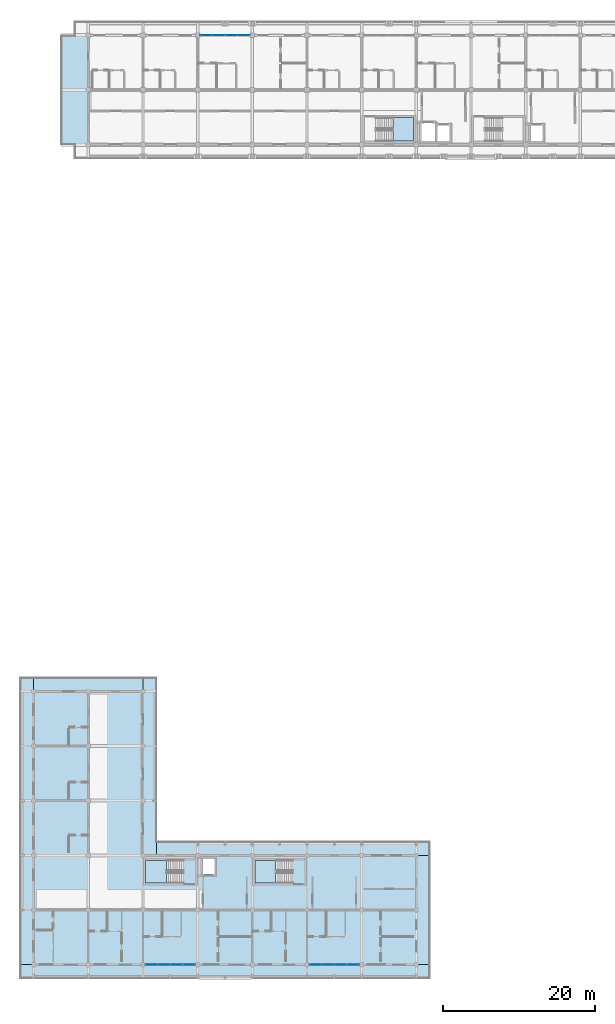
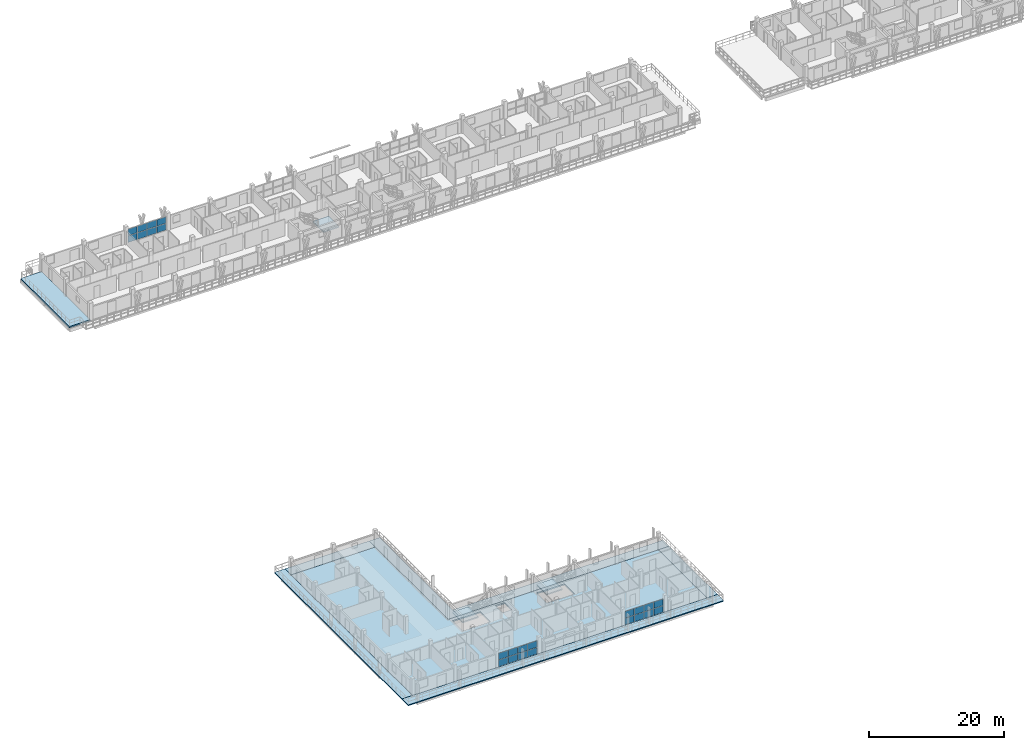
# One storey, part 29 of 73: 24 plates, 11 slabs, 6 elements without a shape of their own.
"""IFC4 building model written with IfcOpenShell, lengths in metres."""

from ifc_helpers import new_model, si_unit, direction, frame, origin, origin_2d, place, context, subcontext, project, spatial, polyline, rectangle, outline, extrude, material, layer, layer_set, type_object, element, aggregate, save


model = new_model("IFC4")

# Units and contexts
model_context = context("Model", 3, precision=1e-05, world=origin(), true_north=direction((0.0, 1.0)))
body_context = subcontext(model_context, "Body", "Model", "MODEL_VIEW")
ifc_project = project(units=[si_unit("LENGTHUNIT", "METRE"), si_unit("AREAUNIT", "SQUARE_METRE"), si_unit("VOLUMEUNIT", "CUBIC_METRE"), si_unit("PLANEANGLEUNIT", "RADIAN"), si_unit("MASSUNIT", "GRAM", prefix="KILO")], contexts=[model_context])

# Site, building, storey
site_placement = place(None, origin())
site = spatial("IfcSite", under=ifc_project, at=site_placement, CompositionType="ELEMENT")
building_placement = place(site_placement, origin())
building = spatial("IfcBuilding", under=site, at=building_placement, Name="Suanplinth Sawtooth Commons", CompositionType="ELEMENT")
storey_placement = place(building_placement, frame((0.0, 0.0, 21.89990234375)))
storey = spatial("IfcBuildingStorey", under=building, at=storey_placement, Name="L06", CompositionType="ELEMENT", Elevation=21.89990234375)

# Curtain wall, plates
ifc_material_1 = material(Name="Anodized aluminium and low-E glazing", Category="aluminium")
curtain_wall_type = type_object("IfcCurtainWallType", Name="CW-06", PredefinedType="USERDEFINED", material=ifc_material_1)
curtain_wall_1_placement = place(storey_placement, origin())
curtain_wall_1 = element("IfcCurtainWall", 1, at=curtain_wall_1_placement, inside=storey, type_object=curtain_wall_type, Name="Curtain Wall CW-L06-A-LOUNGE-2", ObjectType="CURTAIN WALL", PredefinedType="USERDEFINED")
ifc_material_2 = material(Name="Tempered low-E double glazing", Category="glass")
ifc_layer_1 = layer(ifc_material_2, 0.028076171875, Name="Vision low-E insulated glazing unit 28mm")
ifc_layer_set_1 = layer_set([ifc_layer_1], Name="Tempered low-E double glazing")
plate_type = type_object("IfcPlateType", Name="PL-05", PredefinedType="CURTAIN_PANEL", material=ifc_layer_set_1)
plate_1_placement = place(storey_placement, frame((22.7412109375, 122.39990234375, 0.065185546875), z_axis=(0.0, 0.0, 1.0), x_axis=(1.0, 0.0, 0.0)))
plate_1 = element("IfcPlate", 2, at=plate_1_placement, type_object=plate_type, Name="CW-06 panel 1.1", PredefinedType="CURTAIN_PANEL", context=body_context, shape_type="SweptSolid", body=[
    extrude(rectangle(XDim=1.552490234375, YDim=0.028076171875, at=origin_2d()), origin(), (0.0, 0.0, 1.0), 1.16748046875),
])
plate_2_placement = place(storey_placement, frame((22.7412109375, 122.39990234375, 1.297607421875), z_axis=(0.0, 0.0, 1.0), x_axis=(1.0, 0.0, 0.0)))
plate_2 = element("IfcPlate", 3, at=plate_2_placement, type_object=plate_type, Name="CW-06 panel 1.2", PredefinedType="CURTAIN_PANEL", context=body_context, shape_type="SweptSolid", body=[
    extrude(rectangle(XDim=1.552490234375, YDim=0.028076171875, at=origin_2d()), origin(), (0.0, 0.0, 1.0), 1.16748046875),
])
plate_3_placement = place(storey_placement, frame((24.375, 122.39990234375, 0.065185546875), z_axis=(0.0, 0.0, 1.0), x_axis=(1.0, 0.0, 0.0)))
plate_3 = element("IfcPlate", 4, at=plate_3_placement, type_object=plate_type, Name="CW-06 panel 2.1", PredefinedType="CURTAIN_PANEL", context=body_context, shape_type="SweptSolid", body=[
    extrude(rectangle(XDim=1.5849609375, YDim=0.028076171875, at=origin_2d()), origin(), (0.0, 0.0, 1.0), 1.16748046875),
])
plate_4_placement = place(storey_placement, frame((24.375, 122.39990234375, 1.297607421875), z_axis=(0.0, 0.0, 1.0), x_axis=(1.0, 0.0, 0.0)))
plate_4 = element("IfcPlate", 5, at=plate_4_placement, type_object=plate_type, Name="CW-06 panel 2.2", PredefinedType="CURTAIN_PANEL", context=body_context, shape_type="SweptSolid", body=[
    extrude(rectangle(XDim=1.5849609375, YDim=0.028076171875, at=origin_2d()), origin(), (0.0, 0.0, 1.0), 1.16748046875),
])
plate_5_placement = place(storey_placement, frame((26.02490234375, 122.39990234375, 0.065185546875), z_axis=(0.0, 0.0, 1.0), x_axis=(1.0, 0.0, 0.0)))
plate_5 = element("IfcPlate", 6, at=plate_5_placement, type_object=plate_type, Name="CW-06 panel 3.1", PredefinedType="CURTAIN_PANEL", context=body_context, shape_type="SweptSolid", body=[
    extrude(rectangle(XDim=1.5849609375, YDim=0.028076171875, at=origin_2d()), origin(), (0.0, 0.0, 1.0), 1.16748046875),
])
plate_6_placement = place(storey_placement, frame((26.02490234375, 122.39990234375, 1.297607421875), z_axis=(0.0, 0.0, 1.0), x_axis=(1.0, 0.0, 0.0)))
plate_6 = element("IfcPlate", 7, at=plate_6_placement, type_object=plate_type, Name="CW-06 panel 3.2", PredefinedType="CURTAIN_PANEL", context=body_context, shape_type="SweptSolid", body=[
    extrude(rectangle(XDim=1.5849609375, YDim=0.028076171875, at=origin_2d()), origin(), (0.0, 0.0, 1.0), 1.16748046875),
])
plate_7_placement = place(storey_placement, frame((27.65869140625, 122.39990234375, 0.065185546875), z_axis=(0.0, 0.0, 1.0), x_axis=(1.0, 0.0, 0.0)))
plate_7 = element("IfcPlate", 8, at=plate_7_placement, type_object=plate_type, Name="CW-06 panel 4.1", PredefinedType="CURTAIN_PANEL", context=body_context, shape_type="SweptSolid", body=[
    extrude(rectangle(XDim=1.552490234375, YDim=0.028076171875, at=origin_2d()), origin(), (0.0, 0.0, 1.0), 1.16748046875),
])
plate_8_placement = place(storey_placement, frame((27.65869140625, 122.39990234375, 1.297607421875), z_axis=(0.0, 0.0, 1.0), x_axis=(1.0, 0.0, 0.0)))
plate_8 = element("IfcPlate", 9, at=plate_8_placement, type_object=plate_type, Name="CW-06 panel 4.2", PredefinedType="CURTAIN_PANEL", context=body_context, shape_type="SweptSolid", body=[
    extrude(rectangle(XDim=1.552490234375, YDim=0.028076171875, at=origin_2d()), origin(), (0.0, 0.0, 1.0), 1.16748046875),
])
aggregate(curtain_wall_1, [plate_1, plate_2, plate_3, plate_4, plate_5, plate_6, plate_7, plate_8])

curtain_wall_2_placement = place(storey_placement, origin())
curtain_wall_2 = element("IfcCurtainWall", 10, at=curtain_wall_2_placement, inside=storey, type_object=curtain_wall_type, Name="Curtain Wall CW-L06-D-LOUNGE-2", ObjectType="CURTAIN WALL", PredefinedType="USERDEFINED")
plate_9_placement = place(storey_placement, frame((15.5224609375, 0.0, 0.065185546875), z_axis=(0.0, 0.0, 1.0), x_axis=(1.0, 0.0, 0.0)))
plate_9 = element("IfcPlate", 11, at=plate_9_placement, type_object=plate_type, Name="CW-06 panel 1.1", PredefinedType="CURTAIN_PANEL", context=body_context, shape_type="SweptSolid", body=[
    extrude(rectangle(XDim=1.56494140625, YDim=0.028076171875, at=origin_2d()), origin(), (0.0, 0.0, 1.0), 1.16748046875),
])
plate_10_placement = place(storey_placement, frame((15.5224609375, 0.0, 1.297607421875), z_axis=(0.0, 0.0, 1.0), x_axis=(1.0, 0.0, 0.0)))
plate_10 = element("IfcPlate", 12, at=plate_10_placement, type_object=plate_type, Name="CW-06 panel 1.2", PredefinedType="CURTAIN_PANEL", context=body_context, shape_type="SweptSolid", body=[
    extrude(rectangle(XDim=1.56494140625, YDim=0.028076171875, at=origin_2d()), origin(), (0.0, 0.0, 1.0), 1.16748046875),
])
plate_11_placement = place(storey_placement, frame((17.168701171875, 0.0, 0.065185546875), z_axis=(0.0, 0.0, 1.0), x_axis=(1.0, 0.0, 0.0)))
plate_11 = element("IfcPlate", 13, at=plate_11_placement, type_object=plate_type, Name="CW-06 panel 2.1", PredefinedType="CURTAIN_PANEL", context=body_context, shape_type="SweptSolid", body=[
    extrude(rectangle(XDim=1.597412109375, YDim=0.028076171875, at=origin_2d()), origin(), (0.0, 0.0, 1.0), 1.16748046875),
])
plate_12_placement = place(storey_placement, frame((17.168701171875, 0.0, 1.297607421875), z_axis=(0.0, 0.0, 1.0), x_axis=(1.0, 0.0, 0.0)))
plate_12 = element("IfcPlate", 14, at=plate_12_placement, type_object=plate_type, Name="CW-06 panel 2.2", PredefinedType="CURTAIN_PANEL", context=body_context, shape_type="SweptSolid", body=[
    extrude(rectangle(XDim=1.597412109375, YDim=0.028076171875, at=origin_2d()), origin(), (0.0, 0.0, 1.0), 1.16748046875),
])
plate_13_placement = place(storey_placement, frame((18.831298828125, 0.0, 0.065185546875), z_axis=(0.0, 0.0, 1.0), x_axis=(1.0, 0.0, 0.0)))
plate_13 = element("IfcPlate", 15, at=plate_13_placement, type_object=plate_type, Name="CW-06 panel 3.1", PredefinedType="CURTAIN_PANEL", context=body_context, shape_type="SweptSolid", body=[
    extrude(rectangle(XDim=1.597412109375, YDim=0.028076171875, at=origin_2d()), origin(), (0.0, 0.0, 1.0), 1.16748046875),
])
plate_14_placement = place(storey_placement, frame((18.831298828125, 0.0, 1.297607421875), z_axis=(0.0, 0.0, 1.0), x_axis=(1.0, 0.0, 0.0)))
plate_14 = element("IfcPlate", 16, at=plate_14_placement, type_object=plate_type, Name="CW-06 panel 3.2", PredefinedType="CURTAIN_PANEL", context=body_context, shape_type="SweptSolid", body=[
    extrude(rectangle(XDim=1.597412109375, YDim=0.028076171875, at=origin_2d()), origin(), (0.0, 0.0, 1.0), 1.16748046875),
])
plate_15_placement = place(storey_placement, frame((20.4775390625, 0.0, 0.065185546875), z_axis=(0.0, 0.0, 1.0), x_axis=(1.0, 0.0, 0.0)))
plate_15 = element("IfcPlate", 17, at=plate_15_placement, type_object=plate_type, Name="CW-06 panel 4.1", PredefinedType="CURTAIN_PANEL", context=body_context, shape_type="SweptSolid", body=[
    extrude(rectangle(XDim=1.56494140625, YDim=0.028076171875, at=origin_2d()), origin(), (0.0, 0.0, 1.0), 1.16748046875),
])
plate_16_placement = place(storey_placement, frame((20.4775390625, 0.0, 1.297607421875), z_axis=(0.0, 0.0, 1.0), x_axis=(1.0, 0.0, 0.0)))
plate_16 = element("IfcPlate", 18, at=plate_16_placement, type_object=plate_type, Name="CW-06 panel 4.2", PredefinedType="CURTAIN_PANEL", context=body_context, shape_type="SweptSolid", body=[
    extrude(rectangle(XDim=1.56494140625, YDim=0.028076171875, at=origin_2d()), origin(), (0.0, 0.0, 1.0), 1.16748046875),
])
aggregate(curtain_wall_2, [plate_9, plate_10, plate_11, plate_12, plate_13, plate_14, plate_15, plate_16])

curtain_wall_3_placement = place(storey_placement, origin())
curtain_wall_3 = element("IfcCurtainWall", 19, at=curtain_wall_3_placement, inside=storey, type_object=curtain_wall_type, Name="Curtain Wall CW-L06-D-LOUNGE-5", ObjectType="CURTAIN WALL", PredefinedType="USERDEFINED")
plate_17_placement = place(storey_placement, frame((37.12255859375, 0.0, 0.065185546875), z_axis=(0.0, 0.0, 1.0), x_axis=(1.0, 0.0, 0.0)))
plate_17 = element("IfcPlate", 20, at=plate_17_placement, type_object=plate_type, Name="CW-06 panel 1.1", PredefinedType="CURTAIN_PANEL", context=body_context, shape_type="SweptSolid", body=[
    extrude(rectangle(XDim=1.56494140625, YDim=0.028076171875, at=origin_2d()), origin(), (0.0, 0.0, 1.0), 1.16748046875),
])
plate_18_placement = place(storey_placement, frame((37.12255859375, 0.0, 1.297607421875), z_axis=(0.0, 0.0, 1.0), x_axis=(1.0, 0.0, 0.0)))
plate_18 = element("IfcPlate", 21, at=plate_18_placement, type_object=plate_type, Name="CW-06 panel 1.2", PredefinedType="CURTAIN_PANEL", context=body_context, shape_type="SweptSolid", body=[
    extrude(rectangle(XDim=1.56494140625, YDim=0.028076171875, at=origin_2d()), origin(), (0.0, 0.0, 1.0), 1.16748046875),
])
plate_19_placement = place(storey_placement, frame((38.768798828125, 0.0, 0.065185546875), z_axis=(0.0, 0.0, 1.0), x_axis=(1.0, 0.0, 0.0)))
plate_19 = element("IfcPlate", 22, at=plate_19_placement, type_object=plate_type, Name="CW-06 panel 2.1", PredefinedType="CURTAIN_PANEL", context=body_context, shape_type="SweptSolid", body=[
    extrude(rectangle(XDim=1.597412109375, YDim=0.028076171875, at=origin_2d()), origin(), (0.0, 0.0, 1.0), 1.16748046875),
])
plate_20_placement = place(storey_placement, frame((38.768798828125, 0.0, 1.297607421875), z_axis=(0.0, 0.0, 1.0), x_axis=(1.0, 0.0, 0.0)))
plate_20 = element("IfcPlate", 23, at=plate_20_placement, type_object=plate_type, Name="CW-06 panel 2.2", PredefinedType="CURTAIN_PANEL", context=body_context, shape_type="SweptSolid", body=[
    extrude(rectangle(XDim=1.597412109375, YDim=0.028076171875, at=origin_2d()), origin(), (0.0, 0.0, 1.0), 1.16748046875),
])
plate_21_placement = place(storey_placement, frame((40.43115234375, 0.0, 0.065185546875), z_axis=(0.0, 0.0, 1.0), x_axis=(1.0, 0.0, 0.0)))
plate_21 = element("IfcPlate", 24, at=plate_21_placement, type_object=plate_type, Name="CW-06 panel 3.1", PredefinedType="CURTAIN_PANEL", context=body_context, shape_type="SweptSolid", body=[
    extrude(rectangle(XDim=1.597412109375, YDim=0.028076171875, at=origin_2d()), origin(), (0.0, 0.0, 1.0), 1.16748046875),
])
plate_22_placement = place(storey_placement, frame((40.43115234375, 0.0, 1.297607421875), z_axis=(0.0, 0.0, 1.0), x_axis=(1.0, 0.0, 0.0)))
plate_22 = element("IfcPlate", 25, at=plate_22_placement, type_object=plate_type, Name="CW-06 panel 3.2", PredefinedType="CURTAIN_PANEL", context=body_context, shape_type="SweptSolid", body=[
    extrude(rectangle(XDim=1.597412109375, YDim=0.028076171875, at=origin_2d()), origin(), (0.0, 0.0, 1.0), 1.16748046875),
])
plate_23_placement = place(storey_placement, frame((42.077392578125, 0.0, 0.065185546875), z_axis=(0.0, 0.0, 1.0), x_axis=(1.0, 0.0, 0.0)))
plate_23 = element("IfcPlate", 26, at=plate_23_placement, type_object=plate_type, Name="CW-06 panel 4.1", PredefinedType="CURTAIN_PANEL", context=body_context, shape_type="SweptSolid", body=[
    extrude(rectangle(XDim=1.56494140625, YDim=0.028076171875, at=origin_2d()), origin(), (0.0, 0.0, 1.0), 1.16748046875),
])
plate_24_placement = place(storey_placement, frame((42.077392578125, 0.0, 1.297607421875), z_axis=(0.0, 0.0, 1.0), x_axis=(1.0, 0.0, 0.0)))
plate_24 = element("IfcPlate", 27, at=plate_24_placement, type_object=plate_type, Name="CW-06 panel 4.2", PredefinedType="CURTAIN_PANEL", context=body_context, shape_type="SweptSolid", body=[
    extrude(rectangle(XDim=1.56494140625, YDim=0.028076171875, at=origin_2d()), origin(), (0.0, 0.0, 1.0), 1.16748046875),
])
aggregate(curtain_wall_3, [plate_17, plate_18, plate_19, plate_20, plate_21, plate_22, plate_23, plate_24])

# Slabs
ifc_material_3 = material(Name="Precast concrete C40/50", Category="concrete")
ifc_layer_2 = layer(ifc_material_3, 0.179931640625, Name="Wrap-around cantilevered precast balcony slab 180mm")
ifc_layer_set_2 = layer_set([ifc_layer_2], Name="Precast concrete C40/50")
slab_type_1 = type_object("IfcSlabType", Name="S-BL01", PredefinedType="FLOOR", material=ifc_layer_set_2)
slab_1_placement = place(storey_placement, frame((0.0, 0.0, -0.179931640625)))
element("IfcSlab", 28, at=slab_1_placement, inside=storey, type_object=slab_type_1, Name="L06 Block D Wrap-Around Balcony S", PredefinedType="FLOOR", context=body_context, shape_type="SweptSolid", body=[
    extrude(outline(polyline([(52.199951171875, 0.0), (52.199951171875, -1.800048828125), (-1.800048828125, -1.800048828125), (-1.800048828125, 0.0), (52.199951171875, 0.0)])), origin(), (0.0, 0.0, 1.0), 0.179931640625),
])
slab_2_placement = place(storey_placement, frame((0.0, 0.0, -0.179931640625)))
element("IfcSlab", 29, at=slab_2_placement, inside=storey, type_object=slab_type_1, Name="L06 Block D Wrap-Around Balcony W", PredefinedType="FLOOR", context=body_context, shape_type="SweptSolid", body=[
    extrude(outline(polyline([(0.0, 0.0), (-1.800048828125, 0.0), (-1.800048828125, 37.800048828125), (0.0, 37.800048828125), (0.0, 0.0)])), origin(), (0.0, 0.0, 1.0), 0.179931640625),
])
slab_3_placement = place(storey_placement, frame((0.0, 0.0, -0.179931640625)))
element("IfcSlab", 30, at=slab_3_placement, inside=storey, type_object=slab_type_1, Name="L06 Block D Wrap-Around Balcony EEND", PredefinedType="FLOOR", context=body_context, shape_type="SweptSolid", body=[
    extrude(outline(polyline([(52.199951171875, 14.39990234375), (52.199951171875, 0.0), (50.39990234375, 0.0), (50.39990234375, 14.39990234375), (52.199951171875, 14.39990234375)])), origin(), (0.0, 0.0, 1.0), 0.179931640625),
])
slab_4_placement = place(storey_placement, frame((0.0, 0.0, -0.179931640625)))
element("IfcSlab", 31, at=slab_4_placement, inside=storey, type_object=slab_type_1, Name="L06 Block D Wrap-Around Balcony NEND", PredefinedType="FLOOR", context=body_context, shape_type="SweptSolid", body=[
    extrude(outline(polyline([(0.0, 37.800048828125), (14.39990234375, 37.800048828125), (14.39990234375, 36.0), (0.0, 36.0), (0.0, 37.800048828125)])), origin(), (0.0, 0.0, 1.0), 0.179931640625),
])
ifc_layer_3 = layer(ifc_material_3, 0.175048828125, Name="Courtyard cantilevered precast balcony slab 175mm")
ifc_layer_set_3 = layer_set([ifc_layer_3], Name="Precast concrete C40/50")
slab_type_2 = type_object("IfcSlabType", Name="S-BL02", PredefinedType="FLOOR", material=ifc_layer_set_3)
slab_5_placement = place(storey_placement, frame((0.0, 0.0, -0.1748046875)))
element("IfcSlab", 32, at=slab_5_placement, inside=storey, type_object=slab_type_2, Name="L06 Block D Wrap-Around Balcony NC", PredefinedType="FLOOR", context=body_context, shape_type="SweptSolid", body=[
    extrude(outline(polyline([(16.199951171875, 16.199951171875), (52.199951171875, 16.199951171875), (52.199951171875, 14.39990234375), (16.199951171875, 14.39990234375), (16.199951171875, 16.199951171875)])), origin(), (0.0, 0.0, 1.0), 0.1748046875),
])
slab_6_placement = place(storey_placement, frame((0.0, 0.0, -0.1748046875)))
element("IfcSlab", 33, at=slab_6_placement, inside=storey, type_object=slab_type_2, Name="L06 Block D Wrap-Around Balcony EC", PredefinedType="FLOOR", context=body_context, shape_type="SweptSolid", body=[
    extrude(outline(polyline([(14.39990234375, 37.800048828125), (16.199951171875, 37.800048828125), (16.199951171875, 14.39990234375), (14.39990234375, 14.39990234375), (14.39990234375, 37.800048828125)])), origin(), (0.0, 0.0, 1.0), 0.1748046875),
])
ifc_layer_4 = layer(ifc_material_3, 0.239990234375, Name="Precast hollow-core + topping floor slab 240mm")
ifc_layer_set_4 = layer_set([ifc_layer_4], Name="Precast concrete C40/50")
slab_type_3 = type_object("IfcSlabType", Name="S-FL02", PredefinedType="FLOOR", material=ifc_layer_set_4)
slab_7_placement = place(storey_placement, frame((0.0, 0.0, -0.239990234375)))
element("IfcSlab", 34, at=slab_7_placement, inside=storey, type_object=slab_type_3, Name="L06 Block D Structural Floor Plate", PredefinedType="FLOOR", context=body_context, shape_type="SweptSolid", body=[
    extrude(outline(polyline([(0.0, 0.0), (0.0, 36.0), (14.39990234375, 36.0), (14.39990234375, 14.39990234375), (50.39990234375, 14.39990234375), (50.39990234375, 0.0), (0.0, 0.0)]), holes=[polyline([(14.75, 10.75), (19.510009765625, 10.75), (19.510009765625, 13.75), (14.75, 13.75), (14.75, 10.75)]), polyline([(22.25, 11.85009765625), (23.85009765625, 11.85009765625), (23.85009765625, 13.949951171875), (22.25, 13.949951171875), (22.25, 11.85009765625)]), polyline([(29.14990234375, 10.75), (33.909912109375, 10.75), (33.909912109375, 13.75), (29.14990234375, 13.75), (29.14990234375, 10.75)])]), origin(), (0.0, 0.0, 1.0), 0.239990234375),
])

# Stair, slab
ifc_material_4 = material(Name="Concrete C40/50", Category="concrete")
stair_type_1 = type_object("IfcStairType", Name="ST-03", PredefinedType="USERDEFINED", material=ifc_material_4)
stair_1_placement = place(storey_placement, origin())
stair_1 = element("IfcStair", 35, at=stair_1_placement, inside=storey, type_object=stair_type_1, Name="L06 Exit Stair ST-N1", ObjectType="TWO_RETURN_STAIR", PredefinedType="USERDEFINED")
ifc_layer_5 = layer(ifc_material_4, 0.199951171875, Name="Reinforced concrete stair and ramp landing slab 200mm")
ifc_layer_set_5 = layer_set([ifc_layer_5], Name="Concrete C40/50")
slab_type_4 = type_object("IfcSlabType", Name="S-LD01", PredefinedType="LANDING", material=ifc_layer_set_5)
slab_8_placement = place(storey_placement, frame((0.0, 0.0, 1.400146484375)))
slab_8 = element("IfcSlab", 36, at=slab_8_placement, type_object=slab_type_4, Name="ST-03 landing 1", PredefinedType="LANDING", context=body_context, shape_type="SweptSolid", body=[
    extrude(outline(polyline([(47.330078125, 108.449951171875), (50.050048828125, 108.449951171875), (50.050048828125, 111.550048828125), (47.330078125, 111.550048828125), (47.330078125, 108.449951171875)])), origin(), (0.0, 0.0, 1.0), 0.199951171875),
])
aggregate(stair_1, [slab_8])

stair_type_2 = type_object("IfcStairType", Name="ST-07", PredefinedType="USERDEFINED", material=ifc_material_4)
stair_2_placement = place(storey_placement, origin())
stair_2 = element("IfcStair", 37, at=stair_2_placement, inside=storey, type_object=stair_type_2, Name="L06 Exit Stair ST-W1", ObjectType="TWO_RETURN_STAIR", PredefinedType="USERDEFINED")
slab_9_placement = place(storey_placement, frame((0.0, 0.0, 1.400146484375)))
slab_9 = element("IfcSlab", 38, at=slab_9_placement, type_object=slab_type_4, Name="ST-07 landing 1", PredefinedType="LANDING", context=body_context, shape_type="SweptSolid", body=[
    extrude(outline(polyline([(17.469970703125, 13.75), (14.75, 13.75), (14.75, 10.75), (17.469970703125, 10.75), (17.469970703125, 13.75)])), origin(), (0.0, 0.0, 1.0), 0.199951171875),
])
aggregate(stair_2, [slab_9])

stair_3_placement = place(storey_placement, origin())
stair_3 = element("IfcStair", 39, at=stair_3_placement, inside=storey, type_object=stair_type_2, Name="L06 Exit Stair ST-W2", ObjectType="TWO_RETURN_STAIR", PredefinedType="USERDEFINED")
slab_10_placement = place(storey_placement, frame((0.0, 0.0, 1.400146484375)))
slab_10 = element("IfcSlab", 40, at=slab_10_placement, type_object=slab_type_4, Name="ST-07 landing 1", PredefinedType="LANDING", context=body_context, shape_type="SweptSolid", body=[
    extrude(outline(polyline([(31.8701171875, 13.75), (29.14990234375, 13.75), (29.14990234375, 10.75), (31.8701171875, 10.75), (31.8701171875, 13.75)])), origin(), (0.0, 0.0, 1.0), 0.199951171875),
])
aggregate(stair_3, [slab_10])

# Slab
ifc_layer_6 = layer(ifc_material_4, 0.239990234375, Name="Stepped sky-terrace & courtyard garden slab 240mm")
ifc_layer_set_6 = layer_set([ifc_layer_6], Name="Concrete C40/50")
slab_type_5 = type_object("IfcSlabType", Name="S-TR01", PredefinedType="FLOOR", material=ifc_layer_set_6)
slab_11_placement = place(storey_placement, frame((0.0, 0.0, -0.239990234375)))
element("IfcSlab", 41, at=slab_11_placement, inside=storey, type_object=slab_type_5, Name="L06 Block A Stepped Sky-Terrace 1", PredefinedType="FLOOR", context=body_context, shape_type="SweptSolid", body=[
    extrude(outline(polyline([(3.60009765625, 108.0), (3.60009765625, 122.39990234375), (7.199951171875, 122.39990234375), (7.199951171875, 108.0), (3.60009765625, 108.0)])), origin(), (0.0, 0.0, 1.0), 0.239990234375),
])

save(model, "model.ifc")
